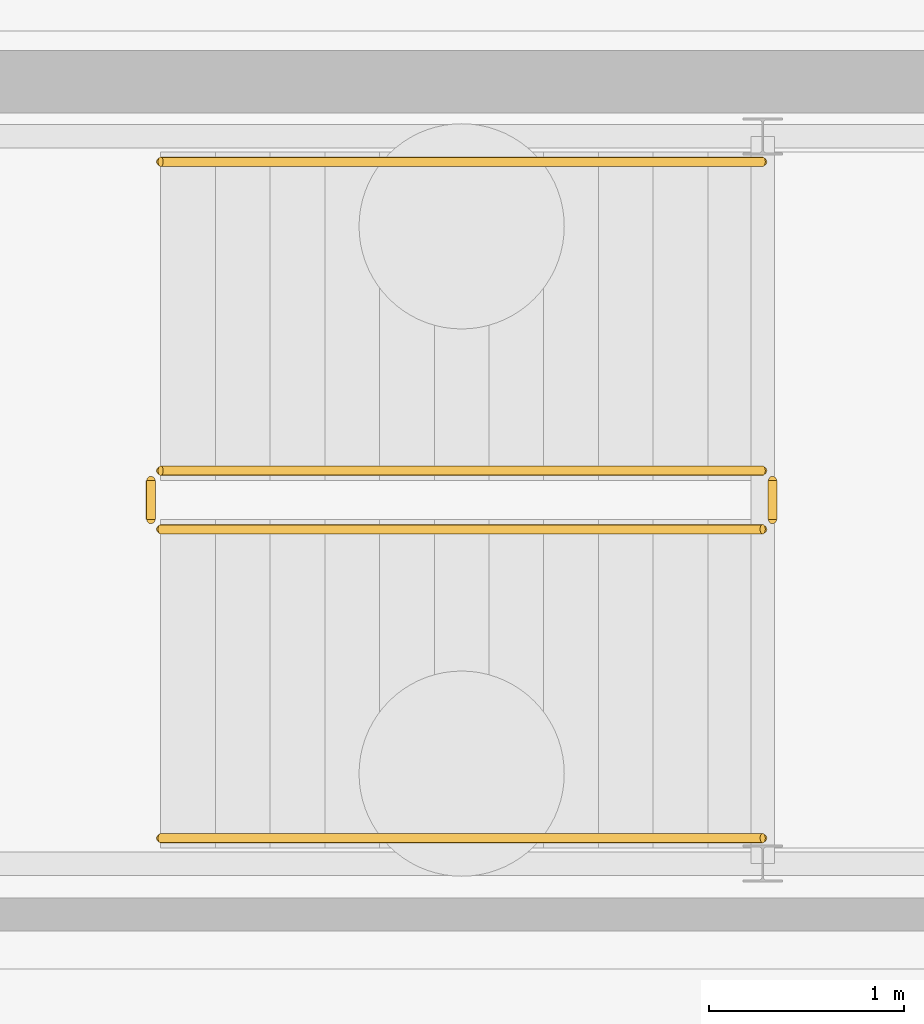
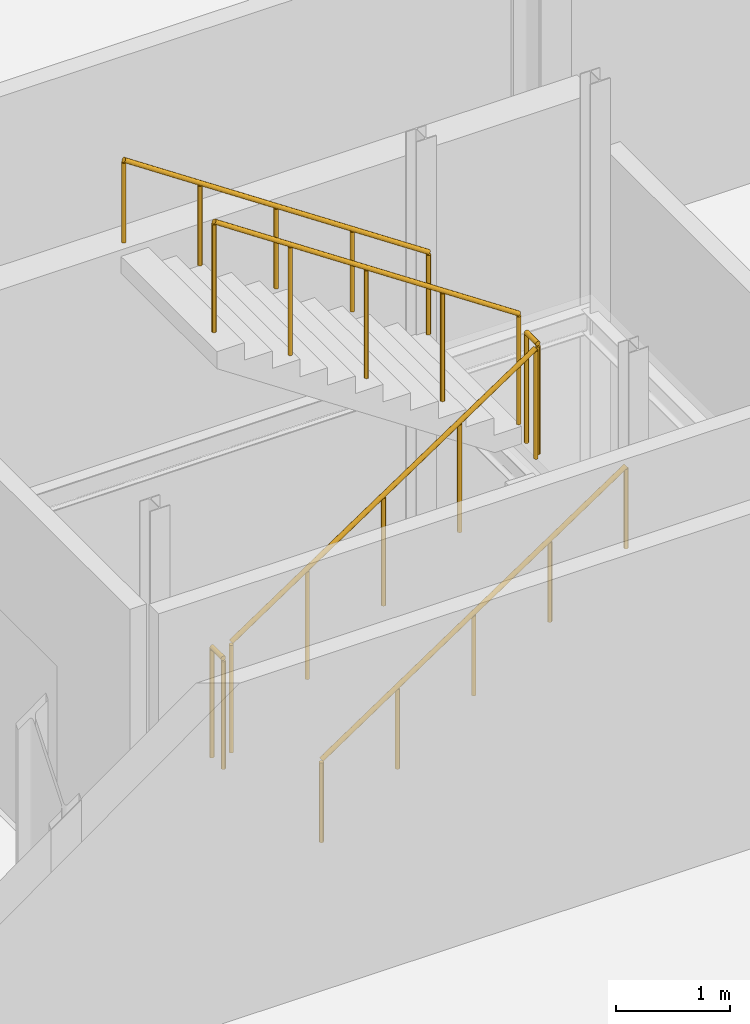
# One storey, part 43 of 47: 6 railings.
"""IFC4 building model written with IfcOpenShell, lengths in metres."""

from ifc_helpers import new_model, si_unit, direction, frame, origin, origin_2d, place, context, subcontext, project, spatial, circle, extrude, material, type_object, element, save


model = new_model("IFC4")

# Units and contexts
model_context = context("Model", 3, precision=1e-05, world=origin(), true_north=direction((0.0, 1.0)))
body_context = subcontext(model_context, "Body", "Model", "MODEL_VIEW")
ifc_project = project(units=[si_unit("LENGTHUNIT", "METRE"), si_unit("AREAUNIT", "SQUARE_METRE"), si_unit("VOLUMEUNIT", "CUBIC_METRE"), si_unit("PLANEANGLEUNIT", "RADIAN"), si_unit("MASSUNIT", "GRAM", prefix="KILO")], contexts=[model_context])

# Site, building, storey
site_placement = place(None, origin())
site = spatial("IfcSite", under=ifc_project, at=site_placement, CompositionType="ELEMENT")
building_placement = place(site_placement, origin())
building = spatial("IfcBuilding", under=site, at=building_placement, Name="Alderhovde Museum", CompositionType="ELEMENT")
storey_placement = place(building_placement, frame((0.0, 0.0, -4.5)))
storey = spatial("IfcBuildingStorey", under=building, at=storey_placement, Name="B1", CompositionType="ELEMENT", Elevation=-4.5)

# Railings
ifc_material_1 = material(Name="Painted Steel S355 Guardrail", Category="steel")
railing_type_1 = type_object("IfcRailingType", Name="RL-GUARD-1200", PredefinedType="GUARDRAIL", material=ifc_material_1)
railing_1_placement = place(storey_placement, frame((89.8798828125, 34.830078125, 0.1875)))
element("IfcRailing", 1, at=railing_1_placement, inside=storey, type_object=railing_type_1, Name="B1 ST3 stair guard 1", PredefinedType="GUARDRAIL", context=body_context, shape_type="SweptSolid", body=[
    extrude(circle(Radius=0.02392578125, at=origin_2d()), frame((0.0, 0.0, 1.17578125), z_axis=(0.830913701846, 0.0, 0.55640131208), x_axis=(0.0, 1.0, 0.0)), (0.0, 0.0, 1.0), 3.706787109375),
    extrude(circle(Radius=0.02099609375, at=origin_2d()), origin(), (0.0, 0.0, 1.0), 1.15185546875),
    extrude(circle(Radius=0.02099609375, at=origin_2d()), frame((0.77001953125, 0.0, 0.515625)), (0.0, 0.0, 1.0), 1.15185546875),
    extrude(circle(Radius=0.02099609375, at=origin_2d()), frame((1.5400390625, 0.0, 1.03125)), (0.0, 0.0, 1.0), 1.15185546875),
    extrude(circle(Radius=0.02099609375, at=origin_2d()), frame((2.31005859375, 0.0, 1.546875)), (0.0, 0.0, 1.0), 1.15185546875),
    extrude(circle(Radius=0.02099609375, at=origin_2d()), frame((3.080078125, 0.0, 2.0625)), (0.0, 0.0, 1.0), 1.15185546875),
])
railing_2_placement = place(storey_placement, frame((93.010009765625, 34.8798828125, 2.25)))
element("IfcRailing", 2, at=railing_2_placement, inside=storey, type_object=railing_type_1, Name="B1 ST3 stair guard 2", PredefinedType="GUARDRAIL", context=body_context, shape_type="SweptSolid", body=[
    extrude(circle(Radius=0.02392578125, at=origin_2d()), frame((0.0, 0.0, 1.17578125), z_axis=(0.0, 1.0, 0.0), x_axis=(-1.0, 0.0, 0.0)), (0.0, 0.0, 1.0), 0.2001953125),
    extrude(circle(Radius=0.02099609375, at=origin_2d()), origin(), (0.0, 0.0, 1.0), 1.15185546875),
    extrude(circle(Radius=0.02099609375, at=origin_2d()), frame((0.0, 0.2001953125, 0.0)), (0.0, 0.0, 1.0), 1.15185546875),
])
railing_3_placement = place(storey_placement, frame((92.9599609375, 35.1298828125, 2.4375)))
element("IfcRailing", 3, at=railing_3_placement, inside=storey, type_object=railing_type_1, Name="B1 ST3 stair guard 3", PredefinedType="GUARDRAIL", context=body_context, shape_type="SweptSolid", body=[
    extrude(circle(Radius=0.02392578125, at=origin_2d()), frame((0.0, 0.0, 1.17578125), z_axis=(-0.830913701846, 0.0, 0.55640131208), x_axis=(0.0, -1.0, 0.0)), (0.0, 0.0, 1.0), 3.706787109375),
    extrude(circle(Radius=0.02099609375, at=origin_2d()), origin(), (0.0, 0.0, 1.0), 1.15185546875),
    extrude(circle(Radius=0.02099609375, at=origin_2d()), frame((-0.77001953125, 0.0, 0.515625)), (0.0, 0.0, 1.0), 1.15185546875),
    extrude(circle(Radius=0.02099609375, at=origin_2d()), frame((-1.5400390625, 0.0, 1.03125)), (0.0, 0.0, 1.0), 1.15185546875),
    extrude(circle(Radius=0.02099609375, at=origin_2d()), frame((-2.31005859375, 0.0, 1.546875)), (0.0, 0.0, 1.0), 1.15185546875),
    extrude(circle(Radius=0.02099609375, at=origin_2d()), frame((-3.080078125, 0.0, 2.0625)), (0.0, 0.0, 1.0), 1.15185546875),
])
railing_4_placement = place(storey_placement, frame((89.830078125, 34.8798828125, 0.0)))
element("IfcRailing", 4, at=railing_4_placement, inside=storey, type_object=railing_type_1, Name="B1 ST3 stair guard 4", PredefinedType="GUARDRAIL", context=body_context, shape_type="SweptSolid", body=[
    extrude(circle(Radius=0.02392578125, at=origin_2d()), frame((0.0, 0.0, 1.17578125), z_axis=(0.0, 1.0, 0.0), x_axis=(-1.0, 0.0, 0.0)), (0.0, 0.0, 1.0), 0.2001953125),
    extrude(circle(Radius=0.02099609375, at=origin_2d()), origin(), (0.0, 0.0, 1.0), 1.15185546875),
    extrude(circle(Radius=0.02099609375, at=origin_2d()), frame((0.0, 0.2001953125, 0.0)), (0.0, 0.0, 1.0), 1.15185546875),
])
ifc_material_2 = material(Name="Brushed Stainless Steel Handrail", Category="steel")
railing_type_2 = type_object("IfcRailingType", Name="RL-HANDRAIL-900", PredefinedType="HANDRAIL", material=ifc_material_2)
railing_5_placement = place(storey_placement, frame((89.8798828125, 33.25, 0.1875)))
element("IfcRailing", 5, at=railing_5_placement, inside=storey, type_object=railing_type_2, Name="B1 ST3 stair handrail 1", PredefinedType="HANDRAIL", context=body_context, shape_type="SweptSolid", body=[
    extrude(circle(Radius=0.02392578125, at=origin_2d()), frame((0.0, 0.0, 0.8759765625), z_axis=(0.830913701846, 0.0, 0.55640131208), x_axis=(0.0, 1.0, 0.0)), (0.0, 0.0, 1.0), 3.706787109375),
    extrude(circle(Radius=0.02099609375, at=origin_2d()), origin(), (0.0, 0.0, 1.0), 0.851806640625),
    extrude(circle(Radius=0.02099609375, at=origin_2d()), frame((0.77001953125, 0.0, 0.515625)), (0.0, 0.0, 1.0), 0.851806640625),
    extrude(circle(Radius=0.02099609375, at=origin_2d()), frame((1.5400390625, 0.0, 1.03125)), (0.0, 0.0, 1.0), 0.851806640625),
    extrude(circle(Radius=0.02099609375, at=origin_2d()), frame((2.31005859375, 0.0, 1.546875)), (0.0, 0.0, 1.0), 0.851806640625),
    extrude(circle(Radius=0.02099609375, at=origin_2d()), frame((3.080078125, 0.0, 2.0625)), (0.0, 0.0, 1.0), 0.851806640625),
])
railing_6_placement = place(storey_placement, frame((92.9599609375, 36.7099609375, 2.4375)))
element("IfcRailing", 6, at=railing_6_placement, inside=storey, type_object=railing_type_2, Name="B1 ST3 stair handrail 2", PredefinedType="HANDRAIL", context=body_context, shape_type="SweptSolid", body=[
    extrude(circle(Radius=0.02392578125, at=origin_2d()), frame((0.0, 0.0, 0.8759765625), z_axis=(-0.830913701846, 0.0, 0.55640131208), x_axis=(0.0, -1.0, 0.0)), (0.0, 0.0, 1.0), 3.706787109375),
    extrude(circle(Radius=0.02099609375, at=origin_2d()), origin(), (0.0, 0.0, 1.0), 0.851806640625),
    extrude(circle(Radius=0.02099609375, at=origin_2d()), frame((-0.77001953125, 0.0, 0.515625)), (0.0, 0.0, 1.0), 0.851806640625),
    extrude(circle(Radius=0.02099609375, at=origin_2d()), frame((-1.5400390625, 0.0, 1.03125)), (0.0, 0.0, 1.0), 0.851806640625),
    extrude(circle(Radius=0.02099609375, at=origin_2d()), frame((-2.31005859375, 0.0, 1.546875)), (0.0, 0.0, 1.0), 0.851806640625),
    extrude(circle(Radius=0.02099609375, at=origin_2d()), frame((-3.080078125, 0.0, 2.0625)), (0.0, 0.0, 1.0), 0.851806640625),
])

save(model, "model.ifc")
